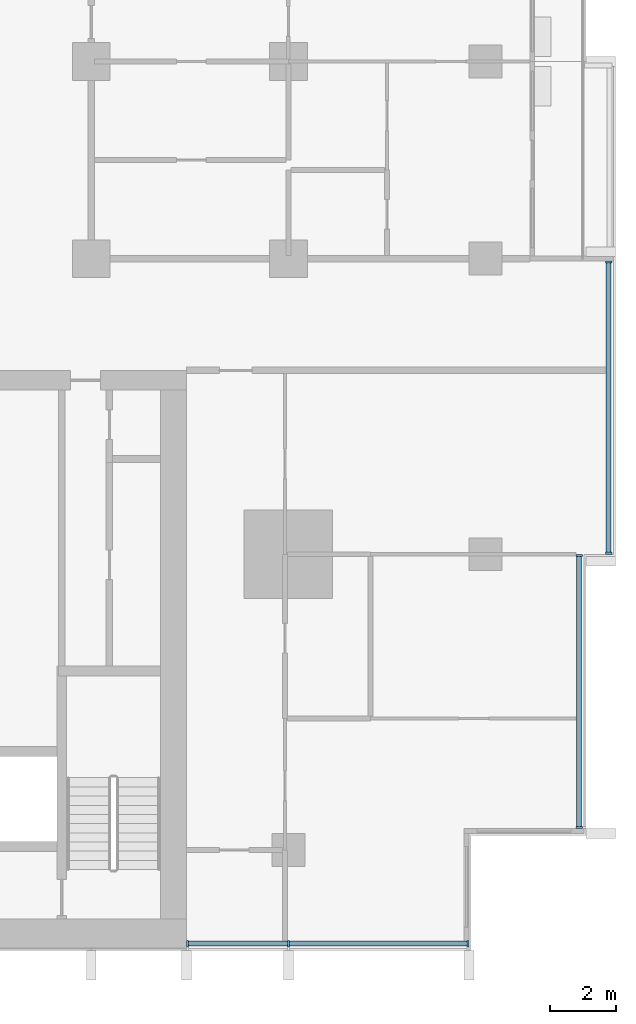
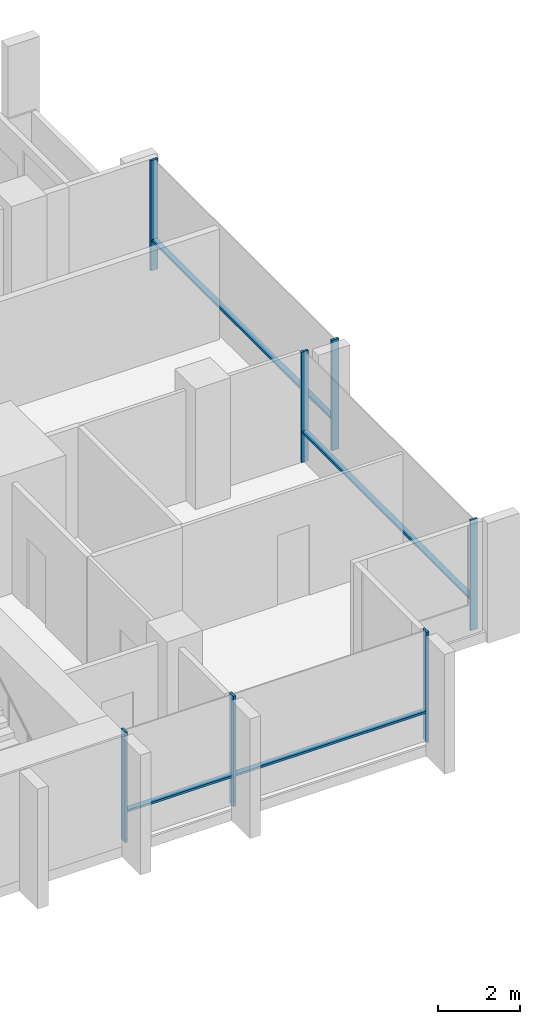
# One storey, part 3 of 17: 11 members, 3 elements without a shape of their own.
"""IFC4 building model written with IfcOpenShell, lengths in metres."""

from ifc_helpers import new_model, si_unit, direction, frame, origin, origin_2d, place, context, subcontext, project, spatial, rectangle, extrude, material, material_profile, profile_set, type_object, element, aggregate, save


model = new_model("IFC4")

# Units and contexts
model_context = context("Model", 3, precision=1e-05, world=origin(), true_north=direction((0.0, 1.0)))
body_context = subcontext(model_context, "Body", "Model", "MODEL_VIEW")
ifc_project = project(units=[si_unit("LENGTHUNIT", "METRE"), si_unit("AREAUNIT", "SQUARE_METRE"), si_unit("VOLUMEUNIT", "CUBIC_METRE"), si_unit("PLANEANGLEUNIT", "RADIAN"), si_unit("MASSUNIT", "GRAM", prefix="KILO")], contexts=[model_context])

# Site, building, storey
site_placement = place(None, origin())
site = spatial("IfcSite", under=ifc_project, at=site_placement, CompositionType="ELEMENT")
building_placement = place(site_placement, origin())
building = spatial("IfcBuilding", under=site, at=building_placement, Name="Finial Court Residences", CompositionType="ELEMENT")
storey_placement = place(building_placement, frame((0.0, 0.0, 95.5)))
storey = spatial("IfcBuildingStorey", under=building, at=storey_placement, Name="L23", CompositionType="ELEMENT", Elevation=95.5)

# Curtain wall, members
ifc_material = material(Name="Bronze anodised aluminium", Category="aluminium")
curtain_wall_type = type_object("IfcCurtainWallType", Name="Unitised curtain wall, lower and middle zones", PredefinedType="NOTDEFINED", material=ifc_material)
curtain_wall_1_placement = place(storey_placement, origin())
curtain_wall_1 = element("IfcCurtainWall", 1, at=curtain_wall_1_placement, inside=storey, type_object=curtain_wall_type, Name="E-L23-CW-E4", PredefinedType="NOTDEFINED")
ifc_material_profile_1 = material_profile(ifc_material, rectangle(XDim=0.199951171875, YDim=0.06494140625, at=origin_2d()), Name="CW1 mullion 65 x 200")
ifc_profile_set_1 = profile_set([ifc_material_profile_1], Name="Bronze anodised aluminium")
member_type_1 = type_object("IfcMemberType", Name="CW1 mullion 65 x 200", PredefinedType="MULLION", material=ifc_profile_set_1)
member_1_placement = place(storey_placement, frame((25.35009765625, -21.8173828125, 0.0), z_axis=(0.0, 0.0, 1.0), x_axis=(-1.0, 0.0, 0.0)))
member_1 = element("IfcMember", 2, at=member_1_placement, type_object=member_type_1, Name="CW1 mullion 1", PredefinedType="MULLION", context=body_context, shape_type="SweptSolid", body=[
    extrude(rectangle(XDim=0.199951171875, YDim=0.06494140625, at=origin_2d()), origin(), (0.0, 0.0, 1.0), 3.300048828125),
])
member_2_placement = place(storey_placement, frame((25.35009765625, -13.532470703125, 0.0), z_axis=(0.0, 0.0, 1.0), x_axis=(-1.0, 0.0, 0.0)))
member_2 = element("IfcMember", 3, at=member_2_placement, type_object=member_type_1, Name="CW1 mullion 2", PredefinedType="MULLION", context=body_context, shape_type="SweptSolid", body=[
    extrude(rectangle(XDim=0.199951171875, YDim=0.06494140625, at=origin_2d()), origin(), (0.0, 0.0, 1.0), 3.300048828125),
])

curtain_wall_2_placement = place(storey_placement, origin())
curtain_wall_2 = element("IfcCurtainWall", 4, at=curtain_wall_2_placement, inside=storey, type_object=curtain_wall_type, Name="E-L23-CW-E5", PredefinedType="NOTDEFINED")
member_3_placement = place(storey_placement, frame((26.25, -13.467529296875, 0.0), z_axis=(0.0, 0.0, 1.0), x_axis=(-1.0, 0.0, 0.0)))
member_3 = element("IfcMember", 5, at=member_3_placement, type_object=member_type_1, Name="CW1 mullion 1", PredefinedType="MULLION", context=body_context, shape_type="SweptSolid", body=[
    extrude(rectangle(XDim=0.199951171875, YDim=0.06494140625, at=origin_2d()), origin(), (0.0, 0.0, 1.0), 3.300048828125),
])
member_4_placement = place(storey_placement, frame((26.25, -4.607421875, 0.0), z_axis=(0.0, 0.0, 1.0), x_axis=(-1.0, 0.0, 0.0)))
member_4 = element("IfcMember", 6, at=member_4_placement, type_object=member_type_1, Name="CW1 mullion 2", PredefinedType="MULLION", context=body_context, shape_type="SweptSolid", body=[
    extrude(rectangle(XDim=0.199951171875, YDim=0.06494140625, at=origin_2d()), origin(), (0.0, 0.0, 1.0), 3.300048828125),
])

curtain_wall_3_placement = place(storey_placement, origin())
curtain_wall_3 = element("IfcCurtainWall", 7, at=curtain_wall_3_placement, inside=storey, type_object=curtain_wall_type, Name="E-L23-CW-S8", PredefinedType="NOTDEFINED")
member_5_placement = place(storey_placement, frame((13.4326171875, -25.35009765625, 0.0), z_axis=(0.0, 0.0, 1.0), x_axis=(0.0, 1.0, 0.0)))
member_5 = element("IfcMember", 8, at=member_5_placement, type_object=member_type_1, Name="CW1 mullion 1", PredefinedType="MULLION", context=body_context, shape_type="SweptSolid", body=[
    extrude(rectangle(XDim=0.199951171875, YDim=0.06494140625, at=origin_2d()), origin(), (0.0, 0.0, 1.0), 3.300048828125),
])
member_6_placement = place(storey_placement, frame((16.5, -25.35009765625, 0.0), z_axis=(0.0, 0.0, 1.0), x_axis=(0.0, 1.0, 0.0)))
member_6 = element("IfcMember", 9, at=member_6_placement, type_object=member_type_1, Name="CW1 mullion 2", PredefinedType="MULLION", context=body_context, shape_type="SweptSolid", body=[
    extrude(rectangle(XDim=0.199951171875, YDim=0.06494140625, at=origin_2d()), origin(), (0.0, 0.0, 1.0), 3.300048828125),
])
member_7_placement = place(storey_placement, frame((21.967529296875, -25.35009765625, 0.0), z_axis=(0.0, 0.0, 1.0), x_axis=(0.0, 1.0, 0.0)))
member_7 = element("IfcMember", 10, at=member_7_placement, type_object=member_type_1, Name="CW1 mullion 3", PredefinedType="MULLION", context=body_context, shape_type="SweptSolid", body=[
    extrude(rectangle(XDim=0.199951171875, YDim=0.06494140625, at=origin_2d()), origin(), (0.0, 0.0, 1.0), 3.300048828125),
])

# Member
ifc_material_profile_2 = material_profile(ifc_material, rectangle(XDim=0.14990234375, YDim=0.06494140625, at=origin_2d()), Name="CW1 transom 65 x 150")
ifc_profile_set_2 = profile_set([ifc_material_profile_2], Name="Bronze anodised aluminium")
member_type_2 = type_object("IfcMemberType", Name="CW1 transom 65 x 150", PredefinedType="USERDEFINED", material=ifc_profile_set_2)
member_8_placement = place(storey_placement, frame((25.35009765625, -21.784912109375, 0.89990234375), z_axis=(0.0, 1.0, 0.0), x_axis=(-1.0, 0.0, 0.0)))
member_8 = element("IfcMember", 11, at=member_8_placement, type_object=member_type_2, Name="CW1 transom 1.1", ObjectType="TRANSOM", PredefinedType="USERDEFINED", context=body_context, shape_type="SweptSolid", body=[
    extrude(rectangle(XDim=0.14990234375, YDim=0.06494140625, at=origin_2d()), origin(), (0.0, 0.0, 1.0), 8.219970703125),
])

aggregate(curtain_wall_1, [member_1, member_2, member_8])

member_9_placement = place(storey_placement, frame((26.25, -13.43505859375, 0.89990234375), z_axis=(0.0, 1.0, 0.0), x_axis=(-1.0, 0.0, 0.0)))
member_9 = element("IfcMember", 12, at=member_9_placement, type_object=member_type_2, Name="CW1 transom 1.1", ObjectType="TRANSOM", PredefinedType="USERDEFINED", context=body_context, shape_type="SweptSolid", body=[
    extrude(rectangle(XDim=0.14990234375, YDim=0.06494140625, at=origin_2d()), origin(), (0.0, 0.0, 1.0), 8.795166015625),
])

aggregate(curtain_wall_2, [member_3, member_4, member_9])

member_10_placement = place(storey_placement, frame((13.465087890625, -25.35009765625, 0.89990234375), z_axis=(1.0, 0.0, 0.0), x_axis=(0.0, 1.0, 0.0)))
member_10 = element("IfcMember", 13, at=member_10_placement, type_object=member_type_2, Name="CW1 transom 1.1", ObjectType="TRANSOM", PredefinedType="USERDEFINED", context=body_context, shape_type="SweptSolid", body=[
    extrude(rectangle(XDim=0.14990234375, YDim=0.06494140625, at=origin_2d()), origin(), (0.0, 0.0, 1.0), 3.00244140625),
])

member_11_placement = place(storey_placement, frame((16.532470703125, -25.35009765625, 0.89990234375), z_axis=(1.0, 0.0, 0.0), x_axis=(0.0, 1.0, 0.0)))
member_11 = element("IfcMember", 14, at=member_11_placement, type_object=member_type_2, Name="CW1 transom 2.1", ObjectType="TRANSOM", PredefinedType="USERDEFINED", context=body_context, shape_type="SweptSolid", body=[
    extrude(rectangle(XDim=0.14990234375, YDim=0.06494140625, at=origin_2d()), origin(), (0.0, 0.0, 1.0), 5.402587890625),
])

aggregate(curtain_wall_3, [member_5, member_6, member_7, member_10, member_11])

save(model, "model.ifc")
